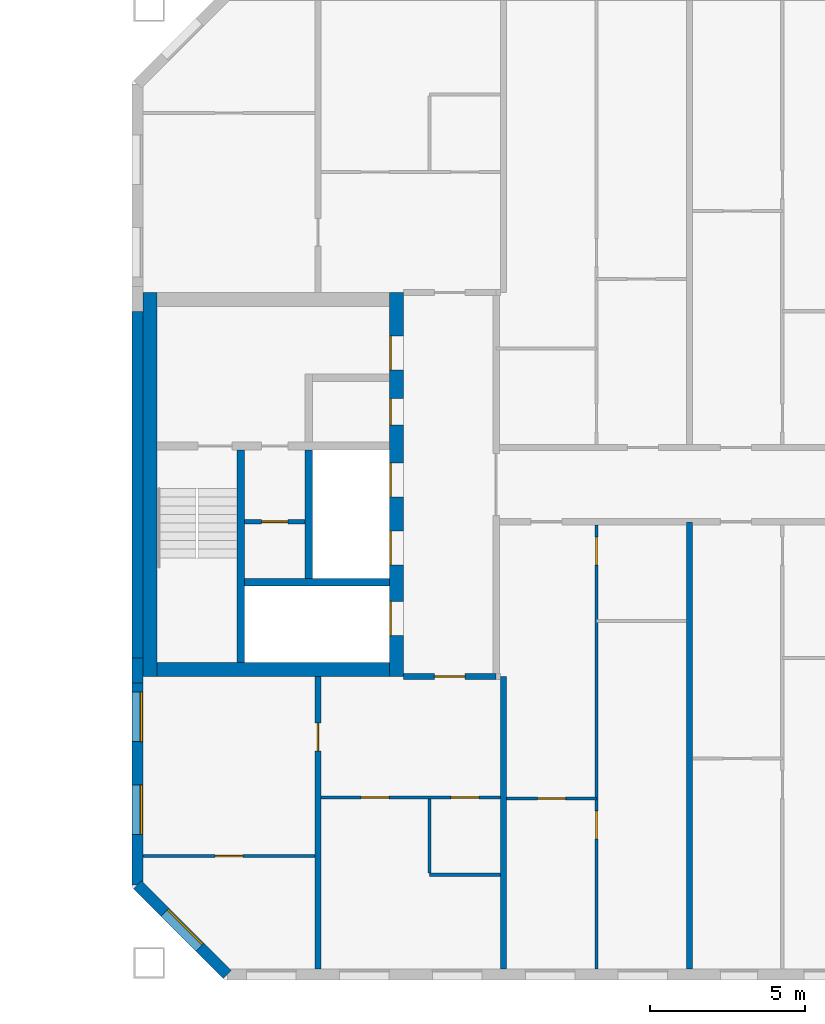
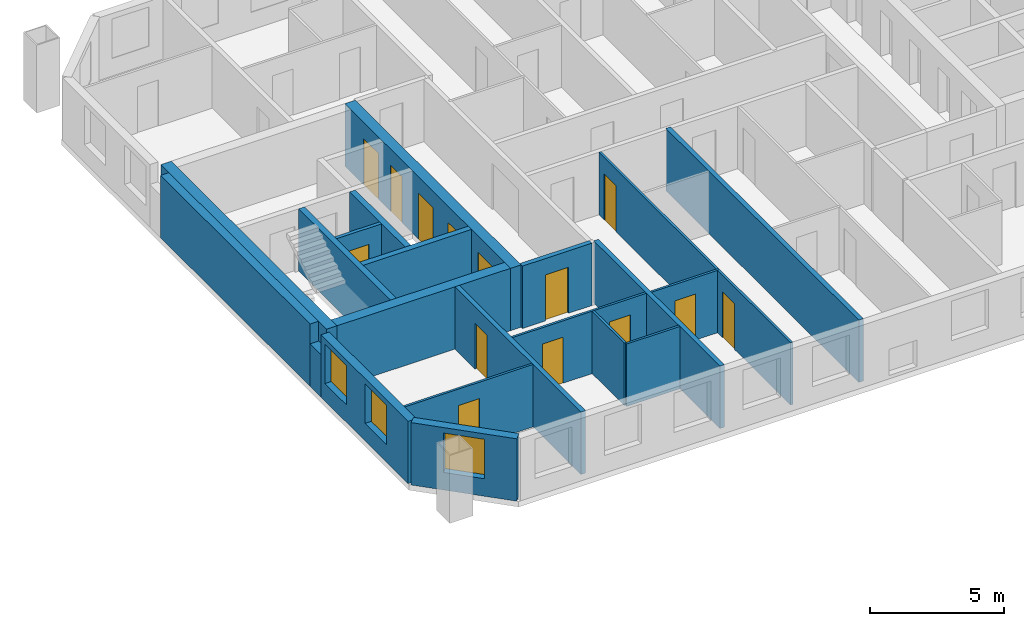
# One storey, part 8 of 15: 21 walls, 14 doors, 3 windows, 17 openings.
"""IFC4 building model written with IfcOpenShell, lengths in metres."""

import ifcopenshell
import ifcopenshell.guid

model = None  # the IFC model being written
_history = None  # IfcOwnerHistory: only IFC2X3 demands one
_inside = {}  # id of a spatial element -> (the spatial element, [elements in it])
_under = {}  # id of a project, library or spatial element -> (it, [spatial elements below it])
_declared = {}  # id of a project -> (the project, [libraries it declares])
_typed = {}  # id of a type object -> (the type object, [elements of that type])
_made_of = {}  # id of a material, layer set ... -> (it, [elements and type objects made of it])


def new_model(schema):
    """Start an empty IFC model of exactly this schema.

    Asked for "IFC4X3", IfcOpenShell would pick the latest addendum, in which some entities
    have other attributes; the version numbers below select the first issue.
    IFC2X3 requires an IfcOwnerHistory on every rooted entity: one is made here for all.
    """
    global model, _history
    if schema == "IFC4X3":
        model = ifcopenshell.file(schema_version=(4, 3, 0, 0))
    else:
        model = ifcopenshell.file(schema=schema)
    _inside.clear()
    _under.clear()
    _declared.clear()
    _typed.clear()
    _made_of.clear()
    _history = None
    if model.schema == "IFC2X3":
        org = make("IfcOrganization", Name="unknown")
        user = make(
            "IfcPersonAndOrganization",
            ThePerson=make("IfcPerson", FamilyName="unknown"),
            TheOrganization=org,
        )
        app = make(
            "IfcApplication",
            ApplicationDeveloper=org,
            Version="unknown",
            ApplicationFullName="unknown",
            ApplicationIdentifier="unknown",
        )
        _history = make(
            "IfcOwnerHistory",
            OwningUser=user,
            OwningApplication=app,
            ChangeAction="ADDED",
            CreationDate=0,
        )
    return model


def make(cls, **values):
    """One entity of the class cls with the attributes given. An attribute that is None is left unset."""
    return model.create_entity(
        cls, **{name: value for name, value in values.items() if value is not None}
    )


def rooted(cls, **values):
    """An entity with a GlobalId (a new one), such as an element, a storey or a relation."""
    return make(cls, GlobalId=ifcopenshell.guid.new(), OwnerHistory=_history, **values)


def si_unit(unit_type, name, prefix=None):
    """IfcSIUnit, for example si_unit("LENGTHUNIT", "METRE", prefix="MILLI")."""
    return make("IfcSIUnit", UnitType=unit_type, Prefix=prefix, Name=name)


def assignment(units):
    """IfcUnitAssignment: the units of a project."""
    return None if units is None else make("IfcUnitAssignment", Units=units)


def point(xyz):
    """IfcCartesianPoint."""
    return None if xyz is None else make("IfcCartesianPoint", Coordinates=xyz)


def direction(xyz):
    """IfcDirection."""
    return None if xyz is None else make("IfcDirection", DirectionRatios=xyz)


def frame(location, z_axis=None, x_axis=None):
    """IfcAxis2Placement3D, a coordinate frame: its origin and axes. An axis left out is left unset."""
    return make(
        "IfcAxis2Placement3D",
        Location=point(location),
        Axis=direction(z_axis),
        RefDirection=direction(x_axis),
    )


def frame_2d(location, x_axis=None):
    """IfcAxis2Placement2D, a coordinate frame in the plane: its origin and x axis."""
    return make(
        "IfcAxis2Placement2D", Location=point(location), RefDirection=direction(x_axis)
    )


def origin():
    """The frame at (0, 0, 0) with its axes left unset."""
    return frame((0.0, 0.0, 0.0))


def place(relative_to, where):
    """IfcLocalPlacement: puts the frame where relative to a parent placement (None: the world)."""
    return make(
        "IfcLocalPlacement", PlacementRelTo=relative_to, RelativePlacement=where
    )


def context(
    kind, dimensions, precision=None, world=None, true_north=None, identifier=None
):
    """IfcGeometricRepresentationContext, for example the 3D "Model" context."""
    return make(
        "IfcGeometricRepresentationContext",
        ContextIdentifier=identifier,
        ContextType=kind,
        CoordinateSpaceDimension=dimensions,
        Precision=precision,
        WorldCoordinateSystem=world,
        TrueNorth=true_north,
    )


def subcontext(parent, identifier, kind, view, scale=None):
    """IfcGeometricRepresentationSubContext, for example "Body" below "Model"."""
    return make(
        "IfcGeometricRepresentationSubContext",
        ContextIdentifier=identifier,
        ContextType=kind,
        ParentContext=parent,
        TargetScale=scale,
        TargetView=view,
    )


def project(units=None, contexts=None):
    """IfcProject with its units and contexts."""
    return rooted(
        "IfcProject",
        Name="project",
        RepresentationContexts=contexts,
        UnitsInContext=assignment(units),
    )


def spatial(cls, under=None, at=None, **own):
    """A site, building, storey or space (cls), placed at a placement, below another one or the project."""
    s = rooted(cls, ObjectPlacement=at, **own)
    if under is not None:
        _under.setdefault(under.id(), (under, []))[1].append(s)
    return s


def profile(cls, at=None, kind="AREA", **sizes):
    """A parametric profile (cls). Its sizes go by their IFC names, for example OverallWidth=200.0."""
    return make(cls, ProfileType=kind, Position=at, **sizes)


def rectangle(**sizes):
    """IfcRectangleProfileDef."""
    return profile("IfcRectangleProfileDef", **sizes)


def extrude(swept, where, along, depth):
    """IfcExtrudedAreaSolid: the profile swept, set in the frame where, extruded along a direction by depth."""
    return make(
        "IfcExtrudedAreaSolid",
        SweptArea=swept,
        Position=where,
        ExtrudedDirection=direction(along),
        Depth=depth,
    )


def shape(context_of_items, identifier, shape_type, items):
    """IfcShapeRepresentation: the items that make up one representation, for example the "Body"."""
    return make(
        "IfcShapeRepresentation",
        ContextOfItems=context_of_items,
        RepresentationIdentifier=identifier,
        RepresentationType=shape_type,
        Items=items,
    )


def material(Name=None, Category=None):
    """IfcMaterial."""
    return make("IfcMaterial", Name=Name, Category=Category)


def layer(
    of_material, thickness, ventilated=None, Name=None, Category=None, Priority=None
):
    """IfcMaterialLayer: one layer of a wall or slab, of a material (None: an air gap)."""
    return make(
        "IfcMaterialLayer",
        Material=of_material,
        LayerThickness=thickness,
        IsVentilated=ventilated,
        Name=Name,
        Category=Category,
        Priority=Priority,
    )


def layer_set(layers, Name=None):
    """IfcMaterialLayerSet."""
    return make("IfcMaterialLayerSet", MaterialLayers=layers, LayerSetName=Name)


def made_of(thing, what):
    """Note that an element or type object is made of a material, layer set ...; save() writes the relation."""
    if what is not None:
        _made_of.setdefault(what.id(), (what, []))[1].append(thing)
    return thing


def type_object(cls, material=None, **own):
    """A type object (cls), such as IfcWallType, which elements share."""
    return made_of(rooted(cls, **own), material)


def element(
    cls,
    number,
    at=None,
    inside=None,
    cuts=None,
    type_object=None,
    material=None,
    context=None,
    identifier="Body",
    shape_type=None,
    held_by="IfcProductDefinitionShape",
    body=None,
    shapes=None,
    **own,
):
    """One element of the class cls, such as IfcWall. Its Tag is "e" and its number.

    at: its placement. inside: the storey or other place that contains it. cuts: it is an
    opening in that element (IfcRelVoidsElement). A single representation is given by context,
    identifier, shape_type and body (its items); several are given by shapes. held_by: the class
    of the entity that holds the representations. save() writes the other relations.
    """
    e = rooted(cls, Tag="e%d" % number, ObjectPlacement=at, **own)
    if body is not None:
        shapes = [shape(context, identifier, shape_type, body)]
    if shapes is not None:
        e.Representation = make(held_by, Representations=shapes)
    if inside is not None:
        _inside.setdefault(inside.id(), (inside, []))[1].append(e)
    if cuts is not None:
        rooted(
            "IfcRelVoidsElement", RelatingBuildingElement=cuts, RelatedOpeningElement=e
        )
    if type_object is not None:
        _typed.setdefault(type_object.id(), (type_object, []))[1].append(e)
    return made_of(e, material)


def fill(opening, filler):
    """IfcRelFillsElement: the door or window that sits in an opening."""
    return rooted(
        "IfcRelFillsElement",
        RelatingOpeningElement=opening,
        RelatedBuildingElement=filler,
    )


def aggregate(whole, parts):
    """IfcRelAggregates: a whole, such as a stair, and the parts it consists of."""
    return rooted("IfcRelAggregates", RelatingObject=whole, RelatedObjects=parts)


def save(model, path):
    """Write the relations noted so far, then the file.

    IfcRelAggregates (storeys below a building ...), IfcRelContainedInSpatialStructure (elements
    in a storey), IfcRelDefinesByType, IfcRelAssociatesMaterial and IfcRelDeclares: one each for
    every whole, place, type object, material and project.
    """
    for whole, parts in _under.values():
        aggregate(whole, parts)
    for where, things in _inside.values():
        rooted(
            "IfcRelContainedInSpatialStructure",
            RelatedElements=things,
            RelatingStructure=where,
        )
    for kind, things in _typed.values():
        rooted("IfcRelDefinesByType", RelatedObjects=things, RelatingType=kind)
    for what, things in _made_of.values():
        rooted("IfcRelAssociatesMaterial", RelatedObjects=things, RelatingMaterial=what)
    for by, libraries in _declared.values():
        rooted("IfcRelDeclares", RelatingContext=by, RelatedDefinitions=libraries)
    model.write(path)


model = new_model("IFC4")

# Units and contexts
model_context = context("Model", 3, precision=1e-05, world=origin(), true_north=direction((0.0, 1.0)))
body_context = subcontext(model_context, "Body", "Model", "MODEL_VIEW")
ifc_project = project(units=[si_unit("LENGTHUNIT", "METRE"), si_unit("AREAUNIT", "SQUARE_METRE"), si_unit("VOLUMEUNIT", "CUBIC_METRE"), si_unit("PLANEANGLEUNIT", "RADIAN"), si_unit("MASSUNIT", "GRAM", prefix="KILO")], contexts=[model_context])

# Site, building, storey
site_placement = place(None, origin())
site = spatial("IfcSite", under=ifc_project, at=site_placement, CompositionType="ELEMENT")
building_placement = place(site_placement, origin())
building = spatial("IfcBuilding", under=site, at=building_placement, Name="Tuart Gate Housing", CompositionType="ELEMENT")
storey_placement = place(building_placement, frame((0.0, 0.0, 191.300048828125)))
storey = spatial("IfcBuildingStorey", under=building, at=storey_placement, Name="L54", CompositionType="ELEMENT", Elevation=191.300048828125)

# Wall, opening, window
ifc_material_1 = material(Name="Brick", Category="masonry")
ifc_layer_1 = layer(ifc_material_1, 0.360107421875)
ifc_layer_set_1 = layer_set([ifc_layer_1], Name="Brick pier and spandrel wall 360")
wall_type_1 = type_object("IfcWallType", Name="Brick pier and spandrel wall 360", PredefinedType="STANDARD", material=ifc_layer_set_1)
wall_1_placement = place(storey_placement, frame((131.179931640625, 57.07470703125, 0.0), z_axis=(0.0, 0.0, 1.0), x_axis=(0.707106781187, -0.707106781187, 0.0)))
wall_1 = element("IfcWall", 1, at=wall_1_placement, inside=storey, type_object=wall_type_1, Name="External wall B-SW L54", PredefinedType="STANDARD", context=body_context, shape_type="SweptSolid", body=[
    extrude(rectangle(XDim=4.09375, YDim=0.360107421875, at=frame_2d((2.046875, 0.0))), origin(), (0.0, 0.0, 1.0), 2.849853515625),
])
opening_1_placement = place(wall_1_placement, frame((1.2470703125, 0.0, 0.800048828125)))
opening_1 = element("IfcOpeningElement", 2, at=opening_1_placement, cuts=wall_1, Name="Opening W1", PredefinedType="OPENING", context=body_context, shape_type="SweptSolid", body=[
    extrude(rectangle(XDim=1.60009765625, YDim=1.800048828125, at=frame_2d((0.800048828125, 0.89990234375))), frame((0.0, 0.18994140625, 0.0), z_axis=(0.0, -1.0, 0.0), x_axis=(1.0, 0.0, 0.0)), (0.0, 0.0, 1.0), 0.380126953125),
])
ifc_material_2 = material(Name="Aluminium frame with clear glass", Category="aluminium")
window_type = type_object("IfcWindowType", Name="Punched window 1600 x 1800", PartitioningType="SINGLE_PANEL", PredefinedType="WINDOW", material=ifc_material_2)
window_1_placement = place(opening_1_placement, origin())
window_1 = element("IfcWindow", 3, at=window_1_placement, inside=storey, type_object=window_type, Name="Window W1", OverallHeight=1.800048828125, OverallWidth=1.60009765625, PartitioningType="SINGLE_PANEL", PredefinedType="WINDOW", context=body_context, shape_type="SweptSolid", body=[
    extrude(rectangle(XDim=1.60009765625, YDim=1.800048828125, at=frame_2d((0.800048828125, 0.89990234375))), frame((0.0, 0.150146484375, 0.0), z_axis=(0.0, -1.0, 0.0), x_axis=(1.0, 0.0, 0.0)), (0.0, 0.0, 1.0), 0.06005859375),
])
fill(opening_1, window_1)

# Walls
wall_2_placement = place(storey_placement, frame((131.179931640625, 75.596923828125, 0.0), z_axis=(0.0, 0.0, 1.0), x_axis=(0.0, -1.0, 0.0)))
element("IfcWall", 4, at=wall_2_placement, inside=storey, type_object=wall_type_1, Name="External wall B-W L54", PredefinedType="STANDARD", context=body_context, shape_type="SweptSolid", body=[
    extrude(rectangle(XDim=11.19384765625, YDim=0.360107421875, at=frame_2d((5.596923828125, 0.0))), origin(), (0.0, 0.0, 1.0), 2.849853515625),
])
wall_3_placement = place(storey_placement, frame((131.179931640625, 64.403076171875, 0.0), z_axis=(0.0, 0.0, 1.0), x_axis=(0.0, -1.0, 0.0)))
element("IfcWall", 5, at=wall_3_placement, inside=storey, type_object=wall_type_1, Name="External wall B-W L54", PredefinedType="STANDARD", context=body_context, shape_type="SweptSolid", body=[
    extrude(rectangle(XDim=0.80615234375, YDim=0.360107421875, at=frame_2d((0.403076171875, 0.0))), origin(), (0.0, 0.0, 1.0), 1.947021484375),
])

# Wall, openings, windows
wall_4_placement = place(storey_placement, frame((131.179931640625, 63.596923828125, 0.0), z_axis=(0.0, 0.0, 1.0), x_axis=(0.0, -1.0, 0.0)))
wall_4 = element("IfcWall", 6, at=wall_4_placement, inside=storey, type_object=wall_type_1, Name="External wall B-W L54", PredefinedType="STANDARD", context=body_context, shape_type="SweptSolid", body=[
    extrude(rectangle(XDim=6.5224609375, YDim=0.360107421875, at=frame_2d((3.26123046875, 0.0))), origin(), (0.0, 0.0, 1.0), 2.849853515625),
])
opening_2_placement = place(wall_4_placement, frame((0.297119140625, 0.0, 0.800048828125)))
opening_2 = element("IfcOpeningElement", 7, at=opening_2_placement, cuts=wall_4, Name="Opening W1", PredefinedType="OPENING", context=body_context, shape_type="SweptSolid", body=[
    extrude(rectangle(XDim=1.60009765625, YDim=1.800048828125, at=frame_2d((0.800048828125, 0.89990234375))), frame((0.0, 0.18994140625, 0.0), z_axis=(0.0, -1.0, 0.0), x_axis=(1.0, 0.0, 0.0)), (0.0, 0.0, 1.0), 0.380126953125),
])
opening_3_placement = place(wall_4_placement, frame((3.297119140625, 0.0, 0.800048828125)))
opening_3 = element("IfcOpeningElement", 8, at=opening_3_placement, cuts=wall_4, Name="Opening W1", PredefinedType="OPENING", context=body_context, shape_type="SweptSolid", body=[
    extrude(rectangle(XDim=1.60009765625, YDim=1.800048828125, at=frame_2d((0.800048828125, 0.89990234375))), frame((0.0, 0.18994140625, 0.0), z_axis=(0.0, -1.0, 0.0), x_axis=(1.0, 0.0, 0.0)), (0.0, 0.0, 1.0), 0.380126953125),
])
window_2_placement = place(opening_2_placement, origin())
window_2 = element("IfcWindow", 9, at=window_2_placement, inside=storey, type_object=window_type, Name="Window W1", OverallHeight=1.800048828125, OverallWidth=1.60009765625, PartitioningType="SINGLE_PANEL", PredefinedType="WINDOW", context=body_context, shape_type="SweptSolid", body=[
    extrude(rectangle(XDim=1.60009765625, YDim=1.800048828125, at=frame_2d((0.800048828125, 0.89990234375))), frame((0.0, 0.150146484375, 0.0), z_axis=(0.0, -1.0, 0.0), x_axis=(1.0, 0.0, 0.0)), (0.0, 0.0, 1.0), 0.06005859375),
])
fill(opening_2, window_2)
window_3_placement = place(opening_3_placement, origin())
window_3 = element("IfcWindow", 10, at=window_3_placement, inside=storey, type_object=window_type, Name="Window W1", OverallHeight=1.800048828125, OverallWidth=1.60009765625, PartitioningType="SINGLE_PANEL", PredefinedType="WINDOW", context=body_context, shape_type="SweptSolid", body=[
    extrude(rectangle(XDim=1.60009765625, YDim=1.800048828125, at=frame_2d((0.800048828125, 0.89990234375))), frame((0.0, 0.150146484375, 0.0), z_axis=(0.0, -1.0, 0.0), x_axis=(1.0, 0.0, 0.0)), (0.0, 0.0, 1.0), 0.06005859375),
])
fill(opening_3, window_3)

# Wall, opening, door
ifc_material_3 = material(Name="Plasterboard partition")
ifc_layer_2 = layer(ifc_material_3, 0.14990234375)
ifc_layer_set_2 = layer_set([ifc_layer_2], Name="Core partition 150")
wall_type_2 = type_object("IfcWallType", Name="Core partition 150", PredefinedType="PARTITIONING", material=ifc_layer_set_2)
wall_5_placement = place(storey_placement, frame((136.5849609375, 68.800048828125, 0.0), z_axis=(0.0, 0.0, 1.0), x_axis=(-1.0, 0.0, 0.0)))
wall_5 = element("IfcWall", 11, at=wall_5_placement, inside=storey, type_object=wall_type_2, Name="Core partition BG.2", PredefinedType="PARTITIONING", context=body_context, shape_type="SweptSolid", body=[
    extrude(rectangle(XDim=1.949951171875, YDim=0.14990234375, at=frame_2d((0.97509765625, 0.0))), origin(), (0.0, 0.0, 1.0), 2.849853515625),
])
opening_4_placement = place(wall_5_placement, frame((0.550048828125, 0.0, 0.0)))
opening_4 = element("IfcOpeningElement", 12, at=opening_4_placement, cuts=wall_5, Name="Opening D2692", PredefinedType="OPENING", context=body_context, shape_type="SweptSolid", body=[
    extrude(rectangle(XDim=0.85009765625, YDim=2.10009765625, at=frame_2d((0.425048828125, 1.050048828125))), frame((0.0, 0.0849609375, 0.0), z_axis=(0.0, -1.0, 0.0), x_axis=(1.0, 0.0, 0.0)), (0.0, 0.0, 1.0), 0.169921875),
])
ifc_material_4 = material(Name="Steel fire door", Category="steel")
door_type_1 = type_object("IfcDoorType", Name="Service door 850 x 2100 RH", OperationType="SINGLE_SWING_RIGHT", PredefinedType="DOOR", material=ifc_material_4)
door_1_placement = place(opening_4_placement, frame((0.85009765625, 0.0, 0.0), z_axis=(0.0, 0.0, 1.0), x_axis=(-1.0, 0.0, 0.0)))
door_1 = element("IfcDoor", 13, at=door_1_placement, inside=storey, type_object=door_type_1, Name="Service room door BG.W2", OperationType="SINGLE_SWING_RIGHT", OverallHeight=2.10009765625, OverallWidth=0.85009765625, PredefinedType="DOOR", context=body_context, shape_type="SweptSolid", body=[
    extrude(rectangle(XDim=0.85009765625, YDim=2.10009765625, at=frame_2d((0.425048828125, 1.050048828125))), frame((0.0, 0.025146484375, 0.0), z_axis=(0.0, -1.0, 0.0), x_axis=(1.0, 0.0, 0.0)), (0.0, 0.0, 1.0), 0.050048828125),
])
fill(opening_4, door_1)

# Walls
ifc_material_5 = material(Name="Concrete C40", Category="concrete")
ifc_layer_3 = layer(ifc_material_5, 0.25)
ifc_layer_set_3 = layer_set([ifc_layer_3], Name="Core wall 250 C40")
wall_type_3 = type_object("IfcWallType", Name="Core wall 250 C40", PredefinedType="SHEAR", material=ifc_layer_set_3)
wall_6_placement = place(storey_placement, frame((139.31005859375, 66.85009765625, 0.0), z_axis=(0.0, 0.0, 1.0), x_axis=(-1.0, 0.0, 0.0)))
element("IfcWall", 14, at=wall_6_placement, inside=storey, type_object=wall_type_3, Name="Core wall BG.1", PredefinedType="SHEAR", context=body_context, shape_type="SweptSolid", body=[
    extrude(rectangle(XDim=4.675048828125, YDim=0.25, at=frame_2d((2.33740234375, 0.0))), origin(), (0.0, 0.0, 1.0), 2.849853515625),
])
wall_7_placement = place(storey_placement, frame((136.7099609375, 66.97509765625, 0.0), z_axis=(0.0, 0.0, 1.0), x_axis=(0.0, 1.0, 0.0)))
element("IfcWall", 15, at=wall_7_placement, inside=storey, type_object=wall_type_3, Name="Core wall BG.5", PredefinedType="SHEAR", context=body_context, shape_type="SweptSolid", body=[
    extrude(rectangle(XDim=4.14990234375, YDim=0.25, at=frame_2d((2.074951171875, 0.0))), origin(), (0.0, 0.0, 1.0), 2.849853515625),
])
wall_8_placement = place(storey_placement, frame((134.510009765625, 64.25, 0.0), z_axis=(0.0, 0.0, 1.0), x_axis=(0.0, 1.0, 0.0)))
element("IfcWall", 16, at=wall_8_placement, inside=storey, type_object=wall_type_3, Name="Core wall BG.7", PredefinedType="SHEAR", context=body_context, shape_type="SweptSolid", body=[
    extrude(rectangle(XDim=6.875, YDim=0.25, at=frame_2d((3.4375, 0.0))), origin(), (0.0, 0.0, 1.0), 2.849853515625),
])

# Wall, openings, doors
ifc_material_6 = material(Name="Concrete C40", Category="concrete")
ifc_layer_4 = layer(ifc_material_6, 0.449951171875)
ifc_layer_set_4 = layer_set([ifc_layer_4], Name="Core wall 450 C40")
wall_type_4 = type_object("IfcWallType", Name="Core wall 450 C40", PredefinedType="SHEAR", material=ifc_layer_set_4)
wall_9_placement = place(storey_placement, frame((139.534912109375, 63.800048828125, 0.0), z_axis=(0.0, 0.0, 1.0), x_axis=(0.0, 1.0, 0.0)))
wall_9 = element("IfcWall", 17, at=wall_9_placement, inside=storey, type_object=wall_type_4, Name="Core wall BG front", PredefinedType="SHEAR", context=body_context, shape_type="SweptSolid", body=[
    extrude(rectangle(XDim=12.39990234375, YDim=0.449951171875, at=frame_2d((6.199951171875, 0.0))), origin(), (0.0, 0.0, 1.0), 2.849853515625),
])
opening_5_placement = place(wall_9_placement, frame((1.324951171875, 0.0, 0.0)))
opening_5 = element("IfcOpeningElement", 18, at=opening_5_placement, cuts=wall_9, Name="Opening LD-FB1", PredefinedType="OPENING", context=body_context, shape_type="SweptSolid", body=[
    extrude(rectangle(XDim=1.10009765625, YDim=2.10009765625, at=frame_2d((0.550048828125, 1.050048828125))), frame((0.0, 0.23486328125, 0.0), z_axis=(0.0, -1.0, 0.0), x_axis=(1.0, 0.0, 0.0)), (0.0, 0.0, 1.0), 0.469970703125),
])
opening_6_placement = place(wall_9_placement, frame((3.60009765625, 0.0, 0.0)))
opening_6 = element("IfcOpeningElement", 19, at=opening_6_placement, cuts=wall_9, Name="Opening LD-LB1", PredefinedType="OPENING", context=body_context, shape_type="SweptSolid", body=[
    extrude(rectangle(XDim=1.10009765625, YDim=2.10009765625, at=frame_2d((0.550048828125, 1.050048828125))), frame((0.0, 0.23486328125, 0.0), z_axis=(0.0, -1.0, 0.0), x_axis=(1.0, 0.0, 0.0)), (0.0, 0.0, 1.0), 0.469970703125),
])
opening_7_placement = place(wall_9_placement, frame((5.800048828125, 0.0, 0.0)))
opening_7 = element("IfcOpeningElement", 20, at=opening_7_placement, cuts=wall_9, Name="Opening LD-LB2", PredefinedType="OPENING", context=body_context, shape_type="SweptSolid", body=[
    extrude(rectangle(XDim=1.10009765625, YDim=2.10009765625, at=frame_2d((0.550048828125, 1.050048828125))), frame((0.0, 0.23486328125, 0.0), z_axis=(0.0, -1.0, 0.0), x_axis=(1.0, 0.0, 0.0)), (0.0, 0.0, 1.0), 0.469970703125),
])
opening_8_placement = place(wall_9_placement, frame((9.89990234375, 0.0, 0.0)))
opening_8 = element("IfcOpeningElement", 21, at=opening_8_placement, cuts=wall_9, Name="Opening D2684", PredefinedType="OPENING", context=body_context, shape_type="SweptSolid", body=[
    extrude(rectangle(XDim=1.10009765625, YDim=2.10009765625, at=frame_2d((0.550048828125, 1.050048828125))), frame((0.0, 0.23486328125, 0.0), z_axis=(0.0, -1.0, 0.0), x_axis=(1.0, 0.0, 0.0)), (0.0, 0.0, 1.0), 0.469970703125),
])
opening_9_placement = place(wall_9_placement, frame((8.125, 0.0, 0.0)))
opening_9 = element("IfcOpeningElement", 22, at=opening_9_placement, cuts=wall_9, Name="Opening D2685", PredefinedType="OPENING", context=body_context, shape_type="SweptSolid", body=[
    extrude(rectangle(XDim=0.85009765625, YDim=2.10009765625, at=frame_2d((0.425048828125, 1.050048828125))), frame((0.0, 0.23486328125, 0.0), z_axis=(0.0, -1.0, 0.0), x_axis=(1.0, 0.0, 0.0)), (0.0, 0.0, 1.0), 0.469970703125),
])
ifc_material_7 = material(Name="Stainless steel", Category="steel")
door_type_2 = type_object("IfcDoorType", Name="Landing door 1100 x 2100", OperationType="DOUBLE_DOOR_SLIDING", PredefinedType="DOOR", material=ifc_material_7)
door_2_placement = place(opening_5_placement, origin())
door_2 = element("IfcDoor", 23, at=door_2_placement, inside=storey, type_object=door_type_2, Name="Lift landing door FB1", OperationType="DOUBLE_DOOR_SLIDING", OverallHeight=2.10009765625, OverallWidth=1.10009765625, PredefinedType="DOOR", context=body_context, shape_type="SweptSolid", body=[
    extrude(rectangle(XDim=1.10009765625, YDim=2.10009765625, at=frame_2d((0.550048828125, 1.050048828125))), frame((0.0, 0.2099609375, 0.0), z_axis=(0.0, -1.0, 0.0), x_axis=(1.0, 0.0, 0.0)), (0.0, 0.0, 1.0), 0.050048828125),
])
fill(opening_5, door_2)
door_3_placement = place(opening_6_placement, origin())
door_3 = element("IfcDoor", 24, at=door_3_placement, inside=storey, type_object=door_type_2, Name="Lift landing door LB1", OperationType="DOUBLE_DOOR_SLIDING", OverallHeight=2.10009765625, OverallWidth=1.10009765625, PredefinedType="DOOR", context=body_context, shape_type="SweptSolid", body=[
    extrude(rectangle(XDim=1.10009765625, YDim=2.10009765625, at=frame_2d((0.550048828125, 1.050048828125))), frame((0.0, 0.2099609375, 0.0), z_axis=(0.0, -1.0, 0.0), x_axis=(1.0, 0.0, 0.0)), (0.0, 0.0, 1.0), 0.050048828125),
])
fill(opening_6, door_3)
door_4_placement = place(opening_7_placement, origin())
door_4 = element("IfcDoor", 25, at=door_4_placement, inside=storey, type_object=door_type_2, Name="Lift landing door LB2", OperationType="DOUBLE_DOOR_SLIDING", OverallHeight=2.10009765625, OverallWidth=1.10009765625, PredefinedType="DOOR", context=body_context, shape_type="SweptSolid", body=[
    extrude(rectangle(XDim=1.10009765625, YDim=2.10009765625, at=frame_2d((0.550048828125, 1.050048828125))), frame((0.0, 0.2099609375, 0.0), z_axis=(0.0, -1.0, 0.0), x_axis=(1.0, 0.0, 0.0)), (0.0, 0.0, 1.0), 0.050048828125),
])
fill(opening_7, door_4)
ifc_material_8 = material(Name="Steel fire door", Category="steel")
door_type_3 = type_object("IfcDoorType", Name="Lobby door 1100 x 2100", OperationType="SINGLE_SWING_LEFT", PredefinedType="DOOR", material=ifc_material_8)
door_5_placement = place(opening_8_placement, origin())
door_5 = element("IfcDoor", 26, at=door_5_placement, inside=storey, type_object=door_type_3, Name="Lobby entry door BG.EN", OperationType="SINGLE_SWING_LEFT", OverallHeight=2.10009765625, OverallWidth=1.10009765625, PredefinedType="DOOR", context=body_context, shape_type="SweptSolid", body=[
    extrude(rectangle(XDim=1.10009765625, YDim=2.10009765625, at=frame_2d((0.550048828125, 1.050048828125))), frame((0.0, 0.2099609375, 0.0), z_axis=(0.0, -1.0, 0.0), x_axis=(1.0, 0.0, 0.0)), (0.0, 0.0, 1.0), 0.050048828125),
])
fill(opening_8, door_5)
ifc_material_9 = material(Name="Steel fire door", Category="steel")
door_type_4 = type_object("IfcDoorType", Name="Service door 850 x 2100", OperationType="SINGLE_SWING_LEFT", PredefinedType="DOOR", material=ifc_material_9)
door_6_placement = place(opening_9_placement, origin())
door_6 = element("IfcDoor", 27, at=door_6_placement, inside=storey, type_object=door_type_4, Name="Service room door BG.T1", OperationType="SINGLE_SWING_LEFT", OverallHeight=2.10009765625, OverallWidth=0.85009765625, PredefinedType="DOOR", context=body_context, shape_type="SweptSolid", body=[
    extrude(rectangle(XDim=0.85009765625, YDim=2.10009765625, at=frame_2d((0.425048828125, 1.050048828125))), frame((0.0, 0.2099609375, 0.0), z_axis=(0.0, -1.0, 0.0), x_axis=(1.0, 0.0, 0.0)), (0.0, 0.0, 1.0), 0.050048828125),
])
fill(opening_9, door_6)

# Walls
wall_10_placement = place(storey_placement, frame((131.5849609375, 63.800048828125, 0.0), z_axis=(0.0, 0.0, 1.0), x_axis=(0.0, 1.0, 0.0)))
element("IfcWall", 28, at=wall_10_placement, inside=storey, type_object=wall_type_4, Name="Core wall BG back", PredefinedType="SHEAR", context=body_context, shape_type="SweptSolid", body=[
    extrude(rectangle(XDim=12.39990234375, YDim=0.449951171875, at=frame_2d((6.199951171875, 0.0))), origin(), (0.0, 0.0, 1.0), 2.849853515625),
])
wall_11_placement = place(storey_placement, frame((139.31005859375, 64.02490234375, 0.0), z_axis=(0.0, 0.0, 1.0), x_axis=(-1.0, 0.0, 0.0)))
element("IfcWall", 29, at=wall_11_placement, inside=storey, type_object=wall_type_4, Name="Core wall BG south", PredefinedType="SHEAR", context=body_context, shape_type="SweptSolid", body=[
    extrude(rectangle(XDim=7.5, YDim=0.449951171875, at=frame_2d((3.75, 0.0))), origin(), (0.0, 0.0, 1.0), 2.849853515625),
])

# Wall, opening, door
ifc_material_10 = material(Name="Concrete masonry 15 MPa", Category="masonry")
ifc_layer_5 = layer(ifc_material_10, 0.199951171875)
ifc_layer_set_5 = layer_set([ifc_layer_5], Name="Enclosure wall masonry 200")
wall_type_5 = type_object("IfcWallType", Name="Enclosure wall masonry 200", PredefinedType="PARTITIONING", material=ifc_layer_set_5)
wall_12_placement = place(storey_placement, frame((139.760009765625, 63.800048828125, 0.0), z_axis=(0.0, 0.0, 1.0), x_axis=(1.0, 0.0, 0.0)))
wall_12 = element("IfcWall", 30, at=wall_12_placement, inside=storey, type_object=wall_type_5, Name="Enclosure wall masonry 200", PredefinedType="PARTITIONING", context=body_context, shape_type="SweptSolid", body=[
    extrude(rectangle(XDim=3.0, YDim=0.199951171875, at=frame_2d((1.5, 0.0))), origin(), (0.0, 0.0, 1.0), 2.849853515625),
])
opening_10_placement = place(wall_12_placement, frame((1.0, 0.0, 0.0)))
opening_10 = element("IfcOpeningElement", 31, at=opening_10_placement, cuts=wall_12, Name="Opening D2697", PredefinedType="OPENING", context=body_context, shape_type="SweptSolid", body=[
    extrude(rectangle(XDim=1.0, YDim=2.10009765625, at=frame_2d((0.5, 1.050048828125))), frame((0.0, 0.10986328125, 0.0), z_axis=(0.0, -1.0, 0.0), x_axis=(1.0, 0.0, 0.0)), (0.0, 0.0, 1.0), 0.219970703125),
])
ifc_material_11 = material(Name="Timber door leaf in steel frame", Category="steel")
door_type_5 = type_object("IfcDoorType", Name="Flat entrance door 1000", OperationType="SINGLE_SWING_LEFT", PredefinedType="DOOR", material=ifc_material_11)
door_7_placement = place(opening_10_placement, frame((1.0, 0.0, 0.0), z_axis=(0.0, 0.0, 1.0), x_axis=(-1.0, 0.0, 0.0)))
door_7 = element("IfcDoor", 32, at=door_7_placement, inside=storey, type_object=door_type_5, Name="Flat entrance door", OperationType="SINGLE_SWING_LEFT", OverallHeight=2.10009765625, OverallWidth=1.0, PredefinedType="DOOR", context=body_context, shape_type="SweptSolid", body=[
    extrude(rectangle(XDim=1.0, YDim=2.10009765625, at=frame_2d((0.5, 1.050048828125))), frame((0.0, 0.025146484375, 0.0), z_axis=(0.0, -1.0, 0.0), x_axis=(1.0, 0.0, 0.0)), (0.0, 0.0, 1.0), 0.050048828125),
])
fill(opening_10, door_7)

# Wall
ifc_material_12 = material(Name="Gypsum board on steel studs", Category="steel")
ifc_layer_6 = layer(ifc_material_12, 0.10009765625)
ifc_layer_set_6 = layer_set([ifc_layer_6], Name="Partition 100")
wall_type_6 = type_object("IfcWallType", Name="Partition 100", PredefinedType="PARTITIONING", material=ifc_layer_set_6)
wall_13_placement = place(storey_placement, frame((140.60009765625, 57.39990234375, 0.0), z_axis=(0.0, 0.0, 1.0), x_axis=(1.0, 0.0, 0.0)))
element("IfcWall", 33, at=wall_13_placement, inside=storey, type_object=wall_type_6, Name="Partition 100", PredefinedType="PARTITIONING", context=body_context, shape_type="SweptSolid", body=[
    extrude(rectangle(XDim=2.2998046875, YDim=0.10009765625, at=frame_2d((1.14990234375, 0.0))), origin(), (0.0, 0.0, 1.0), 2.849853515625),
])

# Wall, opening, door
wall_14_placement = place(storey_placement, frame((131.360107421875, 58.0, 0.0), z_axis=(0.0, 0.0, 1.0), x_axis=(1.0, 0.0, 0.0)))
wall_14 = element("IfcWall", 34, at=wall_14_placement, inside=storey, type_object=wall_type_6, Name="Partition 100", PredefinedType="PARTITIONING", context=body_context, shape_type="SweptSolid", body=[
    extrude(rectangle(XDim=5.539794921875, YDim=0.10009765625, at=frame_2d((2.77001953125, 0.0))), origin(), (0.0, 0.0, 1.0), 2.849853515625),
])
opening_11_placement = place(wall_14_placement, frame((2.320068359375, 0.0, 0.0)))
opening_11 = element("IfcOpeningElement", 35, at=opening_11_placement, cuts=wall_14, Name="Opening D2712", PredefinedType="OPENING", context=body_context, shape_type="SweptSolid", body=[
    extrude(rectangle(XDim=0.89990234375, YDim=2.10009765625, at=frame_2d((0.449951171875, 1.050048828125))), frame((0.0, 0.06005859375, 0.0), z_axis=(0.0, -1.0, 0.0), x_axis=(1.0, 0.0, 0.0)), (0.0, 0.0, 1.0), 0.1201171875),
])
ifc_material_13 = material(Name="Timber door leaf in steel frame", Category="steel")
door_type_6 = type_object("IfcDoorType", Name="Internal door 900 RH", OperationType="SINGLE_SWING_RIGHT", PredefinedType="DOOR", material=ifc_material_13)
door_8_placement = place(opening_11_placement, frame((0.89990234375, 0.0, 0.0), z_axis=(0.0, 0.0, 1.0), x_axis=(-1.0, 0.0, 0.0)))
door_8 = element("IfcDoor", 36, at=door_8_placement, inside=storey, type_object=door_type_6, Name="Internal door", OperationType="SINGLE_SWING_RIGHT", OverallHeight=2.10009765625, OverallWidth=0.89990234375, PredefinedType="DOOR", context=body_context, shape_type="SweptSolid", body=[
    extrude(rectangle(XDim=0.89990234375, YDim=2.10009765625, at=frame_2d((0.449951171875, 1.050048828125))), frame((0.0, 0.025146484375, 0.0), z_axis=(0.0, -1.0, 0.0), x_axis=(1.0, 0.0, 0.0)), (0.0, 0.0, 1.0), 0.050048828125),
])
fill(opening_11, door_8)

wall_15_placement = place(storey_placement, frame((143.10009765625, 59.860107421875, 0.0), z_axis=(0.0, 0.0, 1.0), x_axis=(1.0, 0.0, 0.0)))
wall_15 = element("IfcWall", 37, at=wall_15_placement, inside=storey, type_object=wall_type_6, Name="Partition 100", PredefinedType="PARTITIONING", context=body_context, shape_type="SweptSolid", body=[
    extrude(rectangle(XDim=2.89990234375, YDim=0.10009765625, at=frame_2d((1.449951171875, 0.0))), origin(), (0.0, 0.0, 1.0), 2.849853515625),
])
opening_12_placement = place(wall_15_placement, frame((1.0, 0.0, 0.0)))
opening_12 = element("IfcOpeningElement", 38, at=opening_12_placement, cuts=wall_15, Name="Opening D2710", PredefinedType="OPENING", context=body_context, shape_type="SweptSolid", body=[
    extrude(rectangle(XDim=0.89990234375, YDim=2.10009765625, at=frame_2d((0.449951171875, 1.050048828125))), frame((0.0, 0.06005859375, 0.0), z_axis=(0.0, -1.0, 0.0), x_axis=(1.0, 0.0, 0.0)), (0.0, 0.0, 1.0), 0.1201171875),
])
door_9_placement = place(opening_12_placement, origin())
door_9 = element("IfcDoor", 39, at=door_9_placement, inside=storey, type_object=door_type_6, Name="Internal door", OperationType="SINGLE_SWING_RIGHT", OverallHeight=2.10009765625, OverallWidth=0.89990234375, PredefinedType="DOOR", context=body_context, shape_type="SweptSolid", body=[
    extrude(rectangle(XDim=0.89990234375, YDim=2.10009765625, at=frame_2d((0.449951171875, 1.050048828125))), frame((0.0, 0.02490234375, 0.0), z_axis=(0.0, -1.0, 0.0), x_axis=(1.0, 0.0, 0.0)), (0.0, 0.0, 1.0), 0.050048828125),
])
fill(opening_12, door_9)

# Wall, openings, doors
wall_16_placement = place(storey_placement, frame((137.10009765625, 59.89990234375, 0.0), z_axis=(0.0, 0.0, 1.0), x_axis=(1.0, 0.0, 0.0)))
wall_16 = element("IfcWall", 40, at=wall_16_placement, inside=storey, type_object=wall_type_6, Name="Partition 100", PredefinedType="PARTITIONING", context=body_context, shape_type="SweptSolid", body=[
    extrude(rectangle(XDim=5.7998046875, YDim=0.10009765625, at=frame_2d((2.89990234375, 0.0))), origin(), (0.0, 0.0, 1.0), 2.849853515625),
])
opening_13_placement = place(wall_16_placement, frame((1.300048828125, 0.0, 0.0)))
opening_13 = element("IfcOpeningElement", 41, at=opening_13_placement, cuts=wall_16, Name="Opening D2707", PredefinedType="OPENING", context=body_context, shape_type="SweptSolid", body=[
    extrude(rectangle(XDim=0.89990234375, YDim=2.10009765625, at=frame_2d((0.449951171875, 1.050048828125))), frame((0.0, 0.06005859375, 0.0), z_axis=(0.0, -1.0, 0.0), x_axis=(1.0, 0.0, 0.0)), (0.0, 0.0, 1.0), 0.1201171875),
])
opening_14_placement = place(wall_16_placement, frame((4.199951171875, 0.0, 0.0)))
opening_14 = element("IfcOpeningElement", 42, at=opening_14_placement, cuts=wall_16, Name="Opening D2706", PredefinedType="OPENING", context=body_context, shape_type="SweptSolid", body=[
    extrude(rectangle(XDim=0.89990234375, YDim=2.10009765625, at=frame_2d((0.449951171875, 1.050048828125))), frame((0.0, 0.06005859375, 0.0), z_axis=(0.0, -1.0, 0.0), x_axis=(1.0, 0.0, 0.0)), (0.0, 0.0, 1.0), 0.1201171875),
])
ifc_material_14 = material(Name="Timber door leaf in steel frame", Category="steel")
door_type_7 = type_object("IfcDoorType", Name="Bathroom door 900 RH", OperationType="SINGLE_SWING_RIGHT", PredefinedType="DOOR", material=ifc_material_14)
door_10_placement = place(opening_14_placement, frame((0.89990234375, 0.0, 0.0), z_axis=(0.0, 0.0, 1.0), x_axis=(-1.0, 0.0, 0.0)))
door_10 = element("IfcDoor", 43, at=door_10_placement, inside=storey, type_object=door_type_7, Name="Bathroom door", OperationType="SINGLE_SWING_RIGHT", OverallHeight=2.10009765625, OverallWidth=0.89990234375, PredefinedType="DOOR", context=body_context, shape_type="SweptSolid", body=[
    extrude(rectangle(XDim=0.89990234375, YDim=2.10009765625, at=frame_2d((0.449951171875, 1.050048828125))), frame((0.0, 0.025146484375, 0.0), z_axis=(0.0, -1.0, 0.0), x_axis=(1.0, 0.0, 0.0)), (0.0, 0.0, 1.0), 0.050048828125),
])
fill(opening_14, door_10)
ifc_material_15 = material(Name="Timber door leaf in steel frame", Category="steel")
door_type_8 = type_object("IfcDoorType", Name="Internal door 900", OperationType="SINGLE_SWING_LEFT", PredefinedType="DOOR", material=ifc_material_15)
door_11_placement = place(opening_13_placement, frame((0.89990234375, 0.0, 0.0), z_axis=(0.0, 0.0, 1.0), x_axis=(-1.0, 0.0, 0.0)))
door_11 = element("IfcDoor", 44, at=door_11_placement, inside=storey, type_object=door_type_8, Name="Internal door", OperationType="SINGLE_SWING_LEFT", OverallHeight=2.10009765625, OverallWidth=0.89990234375, PredefinedType="DOOR", context=body_context, shape_type="SweptSolid", body=[
    extrude(rectangle(XDim=0.89990234375, YDim=2.10009765625, at=frame_2d((0.449951171875, 1.050048828125))), frame((0.0, 0.025146484375, 0.0), z_axis=(0.0, -1.0, 0.0), x_axis=(1.0, 0.0, 0.0)), (0.0, 0.0, 1.0), 0.050048828125),
])
fill(opening_13, door_11)

# Wall
wall_17_placement = place(storey_placement, frame((140.60009765625, 57.449951171875, 0.0), z_axis=(0.0, 0.0, 1.0), x_axis=(0.0, 1.0, 0.0)))
element("IfcWall", 45, at=wall_17_placement, inside=storey, type_object=wall_type_6, Name="Partition 100", PredefinedType="PARTITIONING", context=body_context, shape_type="SweptSolid", body=[
    extrude(rectangle(XDim=2.400146484375, YDim=0.10009765625, at=frame_2d((1.2001953125, 0.0))), origin(), (0.0, 0.0, 1.0), 2.849853515625),
])

# Wall, openings, doors
wall_18_placement = place(storey_placement, frame((146.0, 54.360107421875, 0.0), z_axis=(0.0, 0.0, 1.0), x_axis=(0.0, 1.0, 0.0)))
wall_18 = element("IfcWall", 46, at=wall_18_placement, inside=storey, type_object=wall_type_6, Name="Partition 100", PredefinedType="PARTITIONING", context=body_context, shape_type="SweptSolid", body=[
    extrude(rectangle(XDim=14.33984375, YDim=0.10009765625, at=frame_2d((7.169921875, 0.0))), origin(), (0.0, 0.0, 1.0), 2.849853515625),
])
opening_15_placement = place(wall_18_placement, frame((4.199951171875, 0.0, 0.0)))
opening_15 = element("IfcOpeningElement", 47, at=opening_15_placement, cuts=wall_18, Name="Opening D2700", PredefinedType="OPENING", context=body_context, shape_type="SweptSolid", body=[
    extrude(rectangle(XDim=0.89990234375, YDim=2.10009765625, at=frame_2d((0.449951171875, 1.050048828125))), frame((0.0, 0.06005859375, 0.0), z_axis=(0.0, -1.0, 0.0), x_axis=(1.0, 0.0, 0.0)), (0.0, 0.0, 1.0), 0.1201171875),
])
opening_16_placement = place(wall_18_placement, frame((13.0400390625, 0.0, 0.0)))
opening_16 = element("IfcOpeningElement", 48, at=opening_16_placement, cuts=wall_18, Name="Opening D2699", PredefinedType="OPENING", context=body_context, shape_type="SweptSolid", body=[
    extrude(rectangle(XDim=0.89990234375, YDim=2.10009765625, at=frame_2d((0.449951171875, 1.050048828125))), frame((0.0, 0.06005859375, 0.0), z_axis=(0.0, -1.0, 0.0), x_axis=(1.0, 0.0, 0.0)), (0.0, 0.0, 1.0), 0.1201171875),
])
ifc_material_16 = material(Name="Timber door leaf in steel frame", Category="steel")
door_type_9 = type_object("IfcDoorType", Name="Bathroom door 900", OperationType="SINGLE_SWING_LEFT", PredefinedType="DOOR", material=ifc_material_16)
door_12_placement = place(opening_16_placement, frame((0.89990234375, 0.0, 0.0), z_axis=(0.0, 0.0, 1.0), x_axis=(-1.0, 0.0, 0.0)))
door_12 = element("IfcDoor", 49, at=door_12_placement, inside=storey, type_object=door_type_9, Name="Bathroom door", OperationType="SINGLE_SWING_LEFT", OverallHeight=2.10009765625, OverallWidth=0.89990234375, PredefinedType="DOOR", context=body_context, shape_type="SweptSolid", body=[
    extrude(rectangle(XDim=0.89990234375, YDim=2.10009765625, at=frame_2d((0.449951171875, 1.050048828125))), frame((0.0, 0.025146484375, 0.0), z_axis=(0.0, -1.0, 0.0), x_axis=(1.0, 0.0, 0.0)), (0.0, 0.0, 1.0), 0.050048828125),
])
fill(opening_16, door_12)
door_13_placement = place(opening_15_placement, frame((0.89990234375, 0.0, 0.0), z_axis=(0.0, 0.0, 1.0), x_axis=(-1.0, 0.0, 0.0)))
door_13 = element("IfcDoor", 50, at=door_13_placement, inside=storey, type_object=door_type_6, Name="Internal door", OperationType="SINGLE_SWING_RIGHT", OverallHeight=2.10009765625, OverallWidth=0.89990234375, PredefinedType="DOOR", context=body_context, shape_type="SweptSolid", body=[
    extrude(rectangle(XDim=0.89990234375, YDim=2.10009765625, at=frame_2d((0.449951171875, 1.050048828125))), frame((0.0, 0.025146484375, 0.0), z_axis=(0.0, -1.0, 0.0), x_axis=(1.0, 0.0, 0.0)), (0.0, 0.0, 1.0), 0.050048828125),
])
fill(opening_15, door_13)

# Wall, opening, door
ifc_material_17 = material(Name="Concrete C40", Category="concrete")
ifc_layer_7 = layer(ifc_material_17, 0.199951171875)
ifc_layer_set_7 = layer_set([ifc_layer_7], Name="Party wall concrete C40 200")
wall_type_7 = type_object("IfcWallType", Name="Party wall concrete C40 200", PredefinedType="SOLIDWALL", material=ifc_layer_set_7)
wall_19_placement = place(storey_placement, frame((137.0, 54.360107421875, 0.0), z_axis=(0.0, 0.0, 1.0), x_axis=(0.0, 1.0, 0.0)))
wall_19 = element("IfcWall", 51, at=wall_19_placement, inside=storey, type_object=wall_type_7, Name="Party wall concrete C40 200", PredefinedType="SOLIDWALL", context=body_context, shape_type="SweptSolid", body=[
    extrude(rectangle(XDim=9.43994140625, YDim=0.199951171875, at=frame_2d((4.719970703125, 0.0))), origin(), (0.0, 0.0, 1.0), 2.849853515625),
])
opening_17_placement = place(wall_19_placement, frame((7.0400390625, 0.0, 0.0)))
opening_17 = element("IfcOpeningElement", 52, at=opening_17_placement, cuts=wall_19, Name="Opening D2711", PredefinedType="OPENING", context=body_context, shape_type="SweptSolid", body=[
    extrude(rectangle(XDim=0.89990234375, YDim=2.10009765625, at=frame_2d((0.449951171875, 1.050048828125))), frame((0.0, 0.10986328125, 0.0), z_axis=(0.0, -1.0, 0.0), x_axis=(1.0, 0.0, 0.0)), (0.0, 0.0, 1.0), 0.219970703125),
])
door_14_placement = place(opening_17_placement, frame((0.89990234375, 0.0, 0.0), z_axis=(0.0, 0.0, 1.0), x_axis=(-1.0, 0.0, 0.0)))
door_14 = element("IfcDoor", 53, at=door_14_placement, inside=storey, type_object=door_type_6, Name="Internal door", OperationType="SINGLE_SWING_RIGHT", OverallHeight=2.10009765625, OverallWidth=0.89990234375, PredefinedType="DOOR", context=body_context, shape_type="SweptSolid", body=[
    extrude(rectangle(XDim=0.89990234375, YDim=2.10009765625, at=frame_2d((0.449951171875, 1.050048828125))), frame((0.0, 0.025146484375, 0.0), z_axis=(0.0, -1.0, 0.0), x_axis=(1.0, 0.0, 0.0)), (0.0, 0.0, 1.0), 0.050048828125),
])
fill(opening_17, door_14)

# Walls
wall_20_placement = place(storey_placement, frame((143.0, 54.360107421875, 0.0), z_axis=(0.0, 0.0, 1.0), x_axis=(0.0, 1.0, 0.0)))
element("IfcWall", 54, at=wall_20_placement, inside=storey, type_object=wall_type_7, Name="Party wall concrete C40 200", PredefinedType="SOLIDWALL", context=body_context, shape_type="SweptSolid", body=[
    extrude(rectangle(XDim=9.43994140625, YDim=0.199951171875, at=frame_2d((4.719970703125, 0.0))), origin(), (0.0, 0.0, 1.0), 2.849853515625),
])
wall_21_placement = place(storey_placement, frame((149.0, 54.360107421875, 0.0), z_axis=(0.0, 0.0, 1.0), x_axis=(0.0, 1.0, 0.0)))
element("IfcWall", 55, at=wall_21_placement, inside=storey, type_object=wall_type_7, Name="Party wall concrete C40 200", PredefinedType="SOLIDWALL", context=body_context, shape_type="SweptSolid", body=[
    extrude(rectangle(XDim=14.43994140625, YDim=0.199951171875, at=frame_2d((7.219970703125, 0.0))), origin(), (0.0, 0.0, 1.0), 2.849853515625),
])

save(model, "model.ifc")
